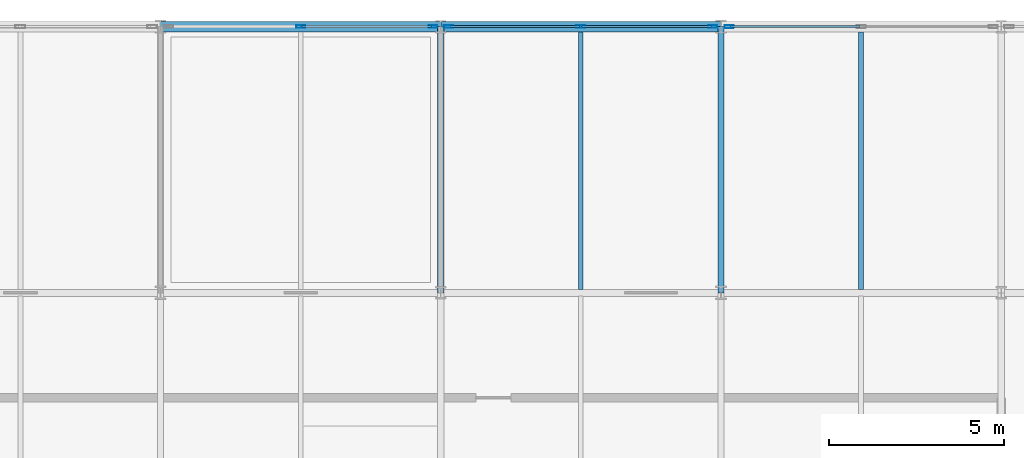
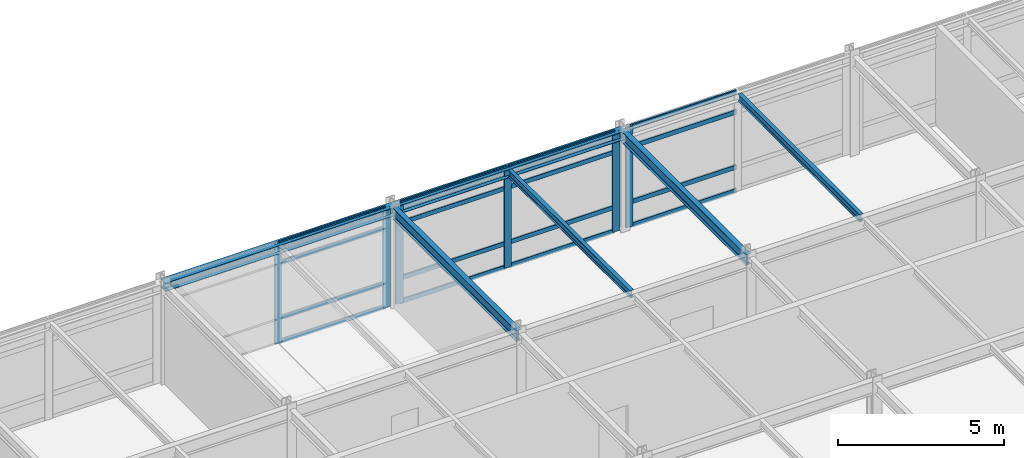
# One storey, part 7 of 15: 22 members, 6 beams, 3 elements without a shape of their own.
"""IFC4 building model written with IfcOpenShell, lengths in metres."""

from ifc_helpers import new_model, si_unit, direction, frame, origin, origin_2d, place, context, subcontext, project, spatial, hollow_rectangle, i_section, extrude, material, layer, layer_set, material_profile, profile_set, type_object, element, aggregate, save


model = new_model("IFC4")

# Units and contexts
model_context = context("Model", 3, precision=1e-05, world=origin(), true_north=direction((0.0, 1.0)))
body_context = subcontext(model_context, "Body", "Model", "MODEL_VIEW")
ifc_project = project(units=[si_unit("LENGTHUNIT", "METRE"), si_unit("AREAUNIT", "SQUARE_METRE"), si_unit("VOLUMEUNIT", "CUBIC_METRE"), si_unit("PLANEANGLEUNIT", "RADIAN"), si_unit("MASSUNIT", "GRAM", prefix="KILO")], contexts=[model_context])

# Site, building, storey
site_placement = place(None, origin())
site = spatial("IfcSite", under=ifc_project, at=site_placement, CompositionType="ELEMENT")
building_placement = place(site_placement, origin())
building = spatial("IfcBuilding", under=site, at=building_placement, Name="Shalkamar Park Central Library", CompositionType="ELEMENT")
storey_placement = place(building_placement, frame((0.0, 0.0, 39.89990234375)))
storey = spatial("IfcBuildingStorey", under=building, at=storey_placement, Name="L10", CompositionType="ELEMENT", Elevation=39.89990234375)

# Beams
ifc_material_1 = material(Name="Steel S355", Category="steel")
ifc_material_profile_1 = material_profile(ifc_material_1, i_section(OverallWidth=0.135009765625, OverallDepth=0.27001953125, WebThickness=0.006591796875, FlangeThickness=0.01025390625, FilletRadius=0.014892578125, at=origin_2d()), Name="IPE 270")
ifc_profile_set_1 = profile_set([ifc_material_profile_1], Name="Steel S355")
beam_type_1 = type_object("IfcBeamType", Name="Composite Floor Joist IPE270", PredefinedType="JOIST", material=ifc_profile_set_1)
for number, where, z_axis, x_axis, name in (
    (1, (193.0, 278.097900390625, 3.545166015625), (0.0, 1.0, 0.0), (-1.0, 0.0, 0.0), "Composite Joist 10/F-1 (L10)"),
    (2, (201.0, 278.097900390625, 3.545166015625), (0.0, 1.0, 0.0), (-1.0, 0.0, 0.0), "Composite Joist 11/F-1 (L10)"),
):
    element("IfcBeam", number, at=place(storey_placement, frame(where, z_axis=z_axis, x_axis=x_axis)), inside=storey, type_object=beam_type_1, Name=name, PredefinedType="JOIST", context=body_context, shape_type="SweptSolid", body=[
        extrude(i_section(OverallWidth=0.135009765625, OverallDepth=0.27001953125, WebThickness=0.006591796875, FlangeThickness=0.01025390625, FilletRadius=0.014892578125, at=origin_2d()), origin(), (0.0, 0.0, 1.0), 7.35400390625),
    ])

# Curtain wall, members
ifc_material_2 = material(Name="Thermally broken aluminium and triple low-e curtain wall", Category="aluminium")
ifc_layer_1 = layer(ifc_material_2, 0.25)
ifc_layer_set_1 = layer_set([ifc_layer_1], Name="UnitisedCurtainWall_79")
curtain_wall_type_1 = type_object("IfcCurtainWallType", Name="Unitised Curtain Wall 79", PredefinedType="USERDEFINED", material=ifc_layer_set_1)
curtain_wall_1_placement = place(storey_placement, origin())
curtain_wall_1 = element("IfcCurtainWall", 3, at=curtain_wall_1_placement, inside=storey, type_object=curtain_wall_type_1, Name="Unitised Curtain Wall CW-L10-121", ObjectType="UNITISED CURTAIN WALL", PredefinedType="USERDEFINED")
ifc_material_3 = material(Name="Aluminium 6060-T66", Category="aluminium")
ifc_material_profile_2 = material_profile(ifc_material_3, hollow_rectangle(XDim=0.074951171875, YDim=0.25, WallThickness=0.00390625, InnerFilletRadius=0.00390625, OuterFilletRadius=0.006103515625, at=origin_2d()), Name="ALU 75x250x4")
ifc_profile_set_2 = profile_set([ifc_material_profile_2], Name="Aluminium 6060-T66")
member_type_1 = type_object("IfcMemberType", Name="Curtain Wall Mullion ALU75x250", PredefinedType="MULLION", material=ifc_profile_set_2)
member_1_placement = place(storey_placement, frame((185.00439453125, 285.60009765625, 0.0), z_axis=(0.0, 0.0, 1.0), x_axis=(0.0, 1.0, 0.0)))
member_1 = element("IfcMember", 4, at=member_1_placement, type_object=member_type_1, Name="CW-79 mullion 2", PredefinedType="MULLION", context=body_context, shape_type="SweptSolid", body=[
    extrude(hollow_rectangle(XDim=0.074951171875, YDim=0.25, WallThickness=0.00390625, InnerFilletRadius=0.00390625, OuterFilletRadius=0.006103515625, at=origin_2d()), origin(), (0.0, 0.0, 1.0), 3.68017578125),
])
member_2_placement = place(storey_placement, frame((188.779052734375, 285.60009765625, 0.0), z_axis=(0.0, 0.0, 1.0), x_axis=(0.0, 1.0, 0.0)))
member_2 = element("IfcMember", 5, at=member_2_placement, type_object=member_type_1, Name="CW-79 mullion 3", PredefinedType="MULLION", context=body_context, shape_type="SweptSolid", body=[
    extrude(hollow_rectangle(XDim=0.074951171875, YDim=0.25, WallThickness=0.00390625, InnerFilletRadius=0.00390625, OuterFilletRadius=0.006103515625, at=origin_2d()), origin(), (0.0, 0.0, 1.0), 3.68017578125),
])

ifc_layer_2 = layer(ifc_material_2, 0.260009765625)
ifc_layer_set_2 = layer_set([ifc_layer_2], Name="UnitisedCurtainWall_80")
curtain_wall_type_2 = type_object("IfcCurtainWallType", Name="Unitised Curtain Wall 80", PredefinedType="USERDEFINED", material=ifc_layer_set_2)
curtain_wall_2_placement = place(storey_placement, origin())
curtain_wall_2 = element("IfcCurtainWall", 6, at=curtain_wall_2_placement, inside=storey, type_object=curtain_wall_type_2, Name="Unitised Curtain Wall CW-L10-122", ObjectType="UNITISED CURTAIN WALL", PredefinedType="USERDEFINED")
ifc_material_profile_3 = material_profile(ifc_material_3, hollow_rectangle(XDim=0.074951171875, YDim=0.260009765625, WallThickness=0.00439453125, InnerFilletRadius=0.00439453125, OuterFilletRadius=0.0068359375, at=origin_2d()), Name="ALU 75x260x4.5")
ifc_profile_set_3 = profile_set([ifc_material_profile_3], Name="Aluminium 6060-T66")
member_type_2 = type_object("IfcMemberType", Name="Curtain Wall Mullion ALU75x260", PredefinedType="MULLION", material=ifc_profile_set_3)
member_3_placement = place(storey_placement, frame((189.220947265625, 285.60009765625, 0.0), z_axis=(0.0, 0.0, 1.0), x_axis=(0.0, 1.0, 0.0)))
member_3 = element("IfcMember", 7, at=member_3_placement, type_object=member_type_2, Name="CW-80 mullion 1", PredefinedType="MULLION", context=body_context, shape_type="SweptSolid", body=[
    extrude(hollow_rectangle(XDim=0.074951171875, YDim=0.260009765625, WallThickness=0.00439453125, InnerFilletRadius=0.00439453125, OuterFilletRadius=0.0068359375, at=origin_2d()), origin(), (0.0, 0.0, 1.0), 3.68017578125),
])
member_4_placement = place(storey_placement, frame((192.99560546875, 285.60009765625, 0.0), z_axis=(0.0, 0.0, 1.0), x_axis=(0.0, 1.0, 0.0)))
member_4 = element("IfcMember", 8, at=member_4_placement, type_object=member_type_2, Name="CW-80 mullion 2", PredefinedType="MULLION", context=body_context, shape_type="SweptSolid", body=[
    extrude(hollow_rectangle(XDim=0.074951171875, YDim=0.260009765625, WallThickness=0.00439453125, InnerFilletRadius=0.00439453125, OuterFilletRadius=0.0068359375, at=origin_2d()), origin(), (0.0, 0.0, 1.0), 3.68017578125),
])
member_5_placement = place(storey_placement, frame((196.77001953125, 285.60009765625, 0.0), z_axis=(0.0, 0.0, 1.0), x_axis=(0.0, 1.0, 0.0)))
member_5 = element("IfcMember", 9, at=member_5_placement, type_object=member_type_2, Name="CW-80 mullion 3", PredefinedType="MULLION", context=body_context, shape_type="SweptSolid", body=[
    extrude(hollow_rectangle(XDim=0.074951171875, YDim=0.260009765625, WallThickness=0.00439453125, InnerFilletRadius=0.00439453125, OuterFilletRadius=0.0068359375, at=origin_2d()), origin(), (0.0, 0.0, 1.0), 3.68017578125),
])

# Curtain wall, member
ifc_layer_3 = layer(ifc_material_2, 0.2548828125)
ifc_layer_set_3 = layer_set([ifc_layer_3], Name="UnitisedCurtainWall_75")
curtain_wall_type_3 = type_object("IfcCurtainWallType", Name="Unitised Curtain Wall 75", PredefinedType="USERDEFINED", material=ifc_layer_set_3)
curtain_wall_3_placement = place(storey_placement, origin())
curtain_wall_3 = element("IfcCurtainWall", 10, at=curtain_wall_3_placement, inside=storey, type_object=curtain_wall_type_3, Name="Unitised Curtain Wall CW-L10-123", ObjectType="UNITISED CURTAIN WALL", PredefinedType="USERDEFINED")
ifc_material_profile_4 = material_profile(ifc_material_3, hollow_rectangle(XDim=0.080078125, YDim=0.2548828125, WallThickness=0.00439453125, InnerFilletRadius=0.00439453125, OuterFilletRadius=0.0068359375, at=origin_2d()), Name="ALU 80x255x4.5")
ifc_profile_set_4 = profile_set([ifc_material_profile_4], Name="Aluminium 6060-T66")
member_type_3 = type_object("IfcMemberType", Name="Curtain Wall Mullion ALU80x255", PredefinedType="MULLION", material=ifc_profile_set_4)
member_6_placement = place(storey_placement, frame((197.232421875, 285.60009765625, 0.0), z_axis=(0.0, 0.0, 1.0), x_axis=(0.0, 1.0, 0.0)))
member_6 = element("IfcMember", 11, at=member_6_placement, type_object=member_type_3, Name="CW-75 mullion 1", PredefinedType="MULLION", context=body_context, shape_type="SweptSolid", body=[
    extrude(hollow_rectangle(XDim=0.080078125, YDim=0.2548828125, WallThickness=0.00439453125, InnerFilletRadius=0.00439453125, OuterFilletRadius=0.0068359375, at=origin_2d()), origin(), (0.0, 0.0, 1.0), 3.68017578125),
])

# Member
ifc_material_profile_5 = material_profile(ifc_material_3, hollow_rectangle(XDim=0.06005859375, YDim=0.159912109375, WallThickness=0.00390625, InnerFilletRadius=0.00390625, OuterFilletRadius=0.006103515625, at=origin_2d()), Name="ALU 60x160x4")
ifc_profile_set_5 = profile_set([ifc_material_profile_5], Name="Aluminium 6060-T66")
member_type_4 = type_object("IfcMemberType", Name="Curtain Wall Transom ALU60x160", PredefinedType="USERDEFINED", material=ifc_profile_set_5)
member_7_placement = place(storey_placement, frame((185.0419921875, 285.60009765625, 0.030029296875), z_axis=(1.0, 0.0, 0.0), x_axis=(0.0, 1.0, 0.0)))
member_7 = element("IfcMember", 12, at=member_7_placement, type_object=member_type_4, Name="CW-79 transom 2.1", ObjectType="TRANSOM", PredefinedType="USERDEFINED", context=body_context, shape_type="SweptSolid", body=[
    extrude(hollow_rectangle(XDim=0.06005859375, YDim=0.159912109375, WallThickness=0.00390625, InnerFilletRadius=0.00390625, OuterFilletRadius=0.006103515625, at=origin_2d()), origin(), (0.0, 0.0, 1.0), 3.699462890625),
])

member_8_placement = place(storey_placement, frame((185.0419921875, 285.60009765625, 0.900146484375), z_axis=(1.0, 0.0, 0.0), x_axis=(0.0, 1.0, 0.0)))
member_8 = element("IfcMember", 13, at=member_8_placement, type_object=member_type_4, Name="CW-79 transom 2.2", ObjectType="TRANSOM", PredefinedType="USERDEFINED", context=body_context, shape_type="SweptSolid", body=[
    extrude(hollow_rectangle(XDim=0.06005859375, YDim=0.159912109375, WallThickness=0.00390625, InnerFilletRadius=0.00390625, OuterFilletRadius=0.006103515625, at=origin_2d()), origin(), (0.0, 0.0, 1.0), 3.699462890625),
])

member_9_placement = place(storey_placement, frame((185.0419921875, 285.60009765625, 2.93017578125), z_axis=(1.0, 0.0, 0.0), x_axis=(0.0, 1.0, 0.0)))
member_9 = element("IfcMember", 14, at=member_9_placement, type_object=member_type_4, Name="CW-79 transom 2.3", ObjectType="TRANSOM", PredefinedType="USERDEFINED", context=body_context, shape_type="SweptSolid", body=[
    extrude(hollow_rectangle(XDim=0.06005859375, YDim=0.159912109375, WallThickness=0.00390625, InnerFilletRadius=0.00390625, OuterFilletRadius=0.006103515625, at=origin_2d()), origin(), (0.0, 0.0, 1.0), 3.699462890625),
])

member_10_placement = place(storey_placement, frame((185.0419921875, 285.60009765625, 3.650146484375), z_axis=(1.0, 0.0, 0.0), x_axis=(0.0, 1.0, 0.0)))
member_10 = element("IfcMember", 15, at=member_10_placement, type_object=member_type_4, Name="CW-79 transom 2.4", ObjectType="TRANSOM", PredefinedType="USERDEFINED", context=body_context, shape_type="SweptSolid", body=[
    extrude(hollow_rectangle(XDim=0.06005859375, YDim=0.159912109375, WallThickness=0.00390625, InnerFilletRadius=0.00390625, OuterFilletRadius=0.006103515625, at=origin_2d()), origin(), (0.0, 0.0, 1.0), 3.699462890625),
])

aggregate(curtain_wall_1, [member_1, member_2, member_7, member_8, member_9, member_10])

ifc_material_profile_6 = material_profile(ifc_material_3, hollow_rectangle(XDim=0.06005859375, YDim=0.1650390625, WallThickness=0.00390625, InnerFilletRadius=0.00390625, OuterFilletRadius=0.006103515625, at=origin_2d()), Name="ALU 60x165x4")
ifc_profile_set_6 = profile_set([ifc_material_profile_6], Name="Aluminium 6060-T66")
member_type_5 = type_object("IfcMemberType", Name="Curtain Wall Transom ALU60x165", PredefinedType="USERDEFINED", material=ifc_profile_set_6)
member_11_placement = place(storey_placement, frame((189.258544921875, 285.60009765625, 0.030029296875), z_axis=(1.0, 0.0, 0.0), x_axis=(0.0, 1.0, 0.0)))
member_11 = element("IfcMember", 16, at=member_11_placement, type_object=member_type_5, Name="CW-80 transom 1.1", ObjectType="TRANSOM", PredefinedType="USERDEFINED", context=body_context, shape_type="SweptSolid", body=[
    extrude(hollow_rectangle(XDim=0.06005859375, YDim=0.1650390625, WallThickness=0.00390625, InnerFilletRadius=0.00390625, OuterFilletRadius=0.006103515625, at=origin_2d()), origin(), (0.0, 0.0, 1.0), 3.699462890625),
])

member_12_placement = place(storey_placement, frame((189.258544921875, 285.60009765625, 0.900146484375), z_axis=(1.0, 0.0, 0.0), x_axis=(0.0, 1.0, 0.0)))
member_12 = element("IfcMember", 17, at=member_12_placement, type_object=member_type_5, Name="CW-80 transom 1.2", ObjectType="TRANSOM", PredefinedType="USERDEFINED", context=body_context, shape_type="SweptSolid", body=[
    extrude(hollow_rectangle(XDim=0.06005859375, YDim=0.1650390625, WallThickness=0.00390625, InnerFilletRadius=0.00390625, OuterFilletRadius=0.006103515625, at=origin_2d()), origin(), (0.0, 0.0, 1.0), 3.699462890625),
])

member_13_placement = place(storey_placement, frame((189.258544921875, 285.60009765625, 2.93017578125), z_axis=(1.0, 0.0, 0.0), x_axis=(0.0, 1.0, 0.0)))
member_13 = element("IfcMember", 18, at=member_13_placement, type_object=member_type_5, Name="CW-80 transom 1.3", ObjectType="TRANSOM", PredefinedType="USERDEFINED", context=body_context, shape_type="SweptSolid", body=[
    extrude(hollow_rectangle(XDim=0.06005859375, YDim=0.1650390625, WallThickness=0.00390625, InnerFilletRadius=0.00390625, OuterFilletRadius=0.006103515625, at=origin_2d()), origin(), (0.0, 0.0, 1.0), 3.699462890625),
])

member_14_placement = place(storey_placement, frame((189.258544921875, 285.60009765625, 3.650146484375), z_axis=(1.0, 0.0, 0.0), x_axis=(0.0, 1.0, 0.0)))
member_14 = element("IfcMember", 19, at=member_14_placement, type_object=member_type_5, Name="CW-80 transom 1.4", ObjectType="TRANSOM", PredefinedType="USERDEFINED", context=body_context, shape_type="SweptSolid", body=[
    extrude(hollow_rectangle(XDim=0.06005859375, YDim=0.1650390625, WallThickness=0.00390625, InnerFilletRadius=0.00390625, OuterFilletRadius=0.006103515625, at=origin_2d()), origin(), (0.0, 0.0, 1.0), 3.699462890625),
])

member_15_placement = place(storey_placement, frame((193.032958984375, 285.60009765625, 0.030029296875), z_axis=(1.0, 0.0, 0.0), x_axis=(0.0, 1.0, 0.0)))
member_15 = element("IfcMember", 20, at=member_15_placement, type_object=member_type_5, Name="CW-80 transom 2.1", ObjectType="TRANSOM", PredefinedType="USERDEFINED", context=body_context, shape_type="SweptSolid", body=[
    extrude(hollow_rectangle(XDim=0.06005859375, YDim=0.1650390625, WallThickness=0.00390625, InnerFilletRadius=0.00390625, OuterFilletRadius=0.006103515625, at=origin_2d()), origin(), (0.0, 0.0, 1.0), 3.699462890625),
])

member_16_placement = place(storey_placement, frame((193.032958984375, 285.60009765625, 0.900146484375), z_axis=(1.0, 0.0, 0.0), x_axis=(0.0, 1.0, 0.0)))
member_16 = element("IfcMember", 21, at=member_16_placement, type_object=member_type_5, Name="CW-80 transom 2.2", ObjectType="TRANSOM", PredefinedType="USERDEFINED", context=body_context, shape_type="SweptSolid", body=[
    extrude(hollow_rectangle(XDim=0.06005859375, YDim=0.1650390625, WallThickness=0.00390625, InnerFilletRadius=0.00390625, OuterFilletRadius=0.006103515625, at=origin_2d()), origin(), (0.0, 0.0, 1.0), 3.699462890625),
])

member_17_placement = place(storey_placement, frame((193.032958984375, 285.60009765625, 2.93017578125), z_axis=(1.0, 0.0, 0.0), x_axis=(0.0, 1.0, 0.0)))
member_17 = element("IfcMember", 22, at=member_17_placement, type_object=member_type_5, Name="CW-80 transom 2.3", ObjectType="TRANSOM", PredefinedType="USERDEFINED", context=body_context, shape_type="SweptSolid", body=[
    extrude(hollow_rectangle(XDim=0.06005859375, YDim=0.1650390625, WallThickness=0.00390625, InnerFilletRadius=0.00390625, OuterFilletRadius=0.006103515625, at=origin_2d()), origin(), (0.0, 0.0, 1.0), 3.699462890625),
])

member_18_placement = place(storey_placement, frame((193.032958984375, 285.60009765625, 3.650146484375), z_axis=(1.0, 0.0, 0.0), x_axis=(0.0, 1.0, 0.0)))
member_18 = element("IfcMember", 23, at=member_18_placement, type_object=member_type_5, Name="CW-80 transom 2.4", ObjectType="TRANSOM", PredefinedType="USERDEFINED", context=body_context, shape_type="SweptSolid", body=[
    extrude(hollow_rectangle(XDim=0.06005859375, YDim=0.1650390625, WallThickness=0.00390625, InnerFilletRadius=0.00390625, OuterFilletRadius=0.006103515625, at=origin_2d()), origin(), (0.0, 0.0, 1.0), 3.699462890625),
])

aggregate(curtain_wall_2, [member_3, member_4, member_5, member_11, member_12, member_13, member_14, member_15, member_16, member_17, member_18])

ifc_material_profile_7 = material_profile(ifc_material_3, hollow_rectangle(XDim=0.06494140625, YDim=0.169921875, WallThickness=0.00390625, InnerFilletRadius=0.00390625, OuterFilletRadius=0.006103515625, at=origin_2d()), Name="ALU 65x170x4")
ifc_profile_set_7 = profile_set([ifc_material_profile_7], Name="Aluminium 6060-T66")
member_type_6 = type_object("IfcMemberType", Name="Curtain Wall Transom ALU65x170", PredefinedType="USERDEFINED", material=ifc_profile_set_7)
member_19_placement = place(storey_placement, frame((197.2724609375, 285.60009765625, 0.03271484375), z_axis=(1.0, 0.0, 0.0), x_axis=(0.0, 1.0, 0.0)))
member_19 = element("IfcMember", 24, at=member_19_placement, type_object=member_type_6, Name="CW-75 transom 1.1", ObjectType="TRANSOM", PredefinedType="USERDEFINED", context=body_context, shape_type="SweptSolid", body=[
    extrude(hollow_rectangle(XDim=0.06494140625, YDim=0.169921875, WallThickness=0.00390625, InnerFilletRadius=0.00390625, OuterFilletRadius=0.006103515625, at=origin_2d()), origin(), (0.0, 0.0, 1.0), 3.692138671875),
])

member_20_placement = place(storey_placement, frame((197.2724609375, 285.60009765625, 0.900146484375), z_axis=(1.0, 0.0, 0.0), x_axis=(0.0, 1.0, 0.0)))
member_20 = element("IfcMember", 25, at=member_20_placement, type_object=member_type_6, Name="CW-75 transom 1.2", ObjectType="TRANSOM", PredefinedType="USERDEFINED", context=body_context, shape_type="SweptSolid", body=[
    extrude(hollow_rectangle(XDim=0.06494140625, YDim=0.169921875, WallThickness=0.00390625, InnerFilletRadius=0.00390625, OuterFilletRadius=0.006103515625, at=origin_2d()), origin(), (0.0, 0.0, 1.0), 3.692138671875),
])

member_21_placement = place(storey_placement, frame((197.2724609375, 285.60009765625, 2.93017578125), z_axis=(1.0, 0.0, 0.0), x_axis=(0.0, 1.0, 0.0)))
member_21 = element("IfcMember", 26, at=member_21_placement, type_object=member_type_6, Name="CW-75 transom 1.3", ObjectType="TRANSOM", PredefinedType="USERDEFINED", context=body_context, shape_type="SweptSolid", body=[
    extrude(hollow_rectangle(XDim=0.06494140625, YDim=0.169921875, WallThickness=0.00390625, InnerFilletRadius=0.00390625, OuterFilletRadius=0.006103515625, at=origin_2d()), origin(), (0.0, 0.0, 1.0), 3.692138671875),
])

member_22_placement = place(storey_placement, frame((197.2724609375, 285.60009765625, 3.647705078125), z_axis=(1.0, 0.0, 0.0), x_axis=(0.0, 1.0, 0.0)))
member_22 = element("IfcMember", 27, at=member_22_placement, type_object=member_type_6, Name="CW-75 transom 1.4", ObjectType="TRANSOM", PredefinedType="USERDEFINED", context=body_context, shape_type="SweptSolid", body=[
    extrude(hollow_rectangle(XDim=0.06494140625, YDim=0.169921875, WallThickness=0.00390625, InnerFilletRadius=0.00390625, OuterFilletRadius=0.006103515625, at=origin_2d()), origin(), (0.0, 0.0, 1.0), 3.692138671875),
])

aggregate(curtain_wall_3, [member_6, member_19, member_20, member_21, member_22])

# Beams
ifc_material_profile_8 = material_profile(ifc_material_1, i_section(OverallWidth=0.300048828125, OverallDepth=0.31005859375, WebThickness=0.009033203125, FlangeThickness=0.015380859375, FilletRadius=0.027099609375, at=origin_2d()), Name="HEA 320")
ifc_profile_set_8 = profile_set([ifc_material_profile_8], Name="Steel S355")
beam_type_2 = type_object("IfcBeamType", Name="Perimeter Spandrel Beam HEA320", PredefinedType="SPANDREL", material=ifc_profile_set_8)
for number, where, z_axis, x_axis, name in (
    (28, (181.0, 285.60009765625, 3.525146484375), (1.0, 0.0, 0.0), (0.0, 1.0, 0.0), "Beam G:09-10 (L10)"),
    (29, (189.0, 285.60009765625, 3.525146484375), (1.0, 0.0, 0.0), (0.0, 1.0, 0.0), "Beam G:10-11 (L10)"),
):
    element("IfcBeam", number, at=place(storey_placement, frame(where, z_axis=z_axis, x_axis=x_axis)), inside=storey, type_object=beam_type_2, Name=name, PredefinedType="SPANDREL", context=body_context, shape_type="SweptSolid", body=[
        extrude(i_section(OverallWidth=0.300048828125, OverallDepth=0.31005859375, WebThickness=0.009033203125, FlangeThickness=0.015380859375, FilletRadius=0.027099609375, at=origin_2d()), origin(), (0.0, 0.0, 1.0), 8.0),
    ])
ifc_material_profile_9 = material_profile(ifc_material_1, i_section(OverallWidth=0.179931640625, OverallDepth=0.39990234375, WebThickness=0.008544921875, FlangeThickness=0.013427734375, FilletRadius=0.02099609375, at=origin_2d()), Name="IPE 400")
ifc_profile_set_9 = profile_set([ifc_material_profile_9], Name="Steel S355")
beam_type_3 = type_object("IfcBeamType", Name="Primary Girder IPE400", PredefinedType="BEAM", material=ifc_profile_set_9)
for number, where, z_axis, x_axis, name in (
    (30, (189.0, 278.0, 3.47998046875), (0.0, 1.0, 0.0), (-1.0, 0.0, 0.0), "Beam 10:F-G (L10)"),
    (31, (197.0, 278.0, 3.47998046875), (0.0, 1.0, 0.0), (-1.0, 0.0, 0.0), "Beam 11:F-G (L10)"),
):
    element("IfcBeam", number, at=place(storey_placement, frame(where, z_axis=z_axis, x_axis=x_axis)), inside=storey, type_object=beam_type_3, Name=name, PredefinedType="BEAM", context=body_context, shape_type="SweptSolid", body=[
        extrude(i_section(OverallWidth=0.179931640625, OverallDepth=0.39990234375, WebThickness=0.008544921875, FlangeThickness=0.013427734375, FilletRadius=0.02099609375, at=origin_2d()), origin(), (0.0, 0.0, 1.0), 7.60009765625),
    ])

save(model, "model.ifc")
